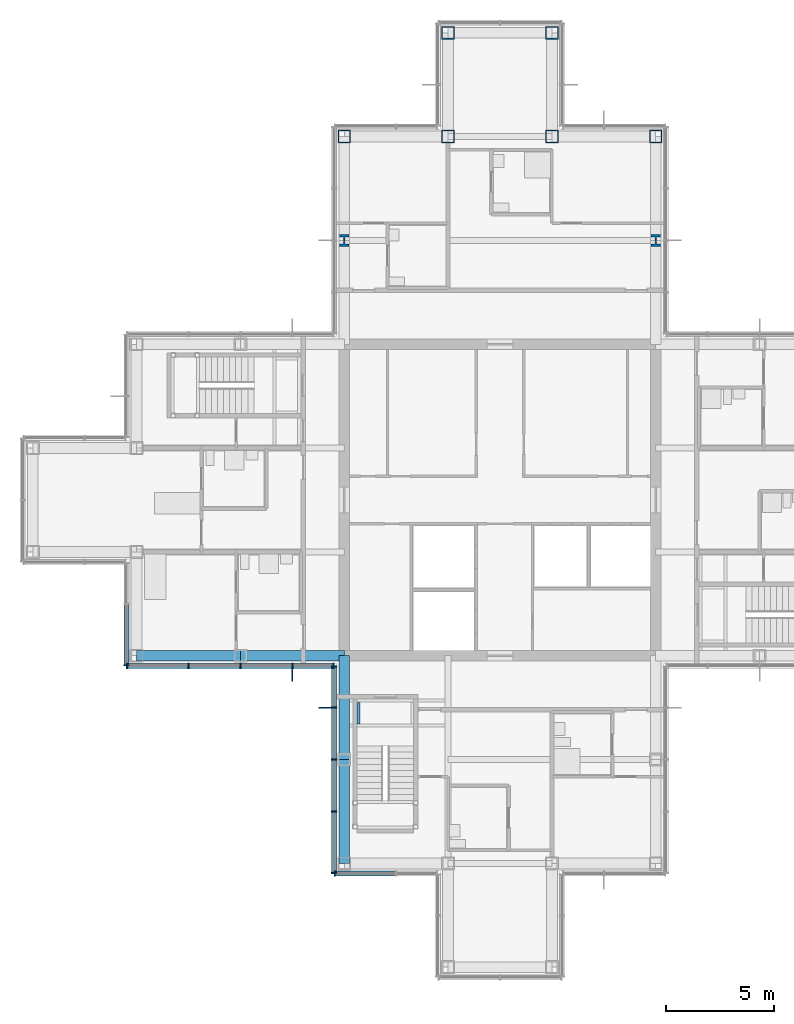
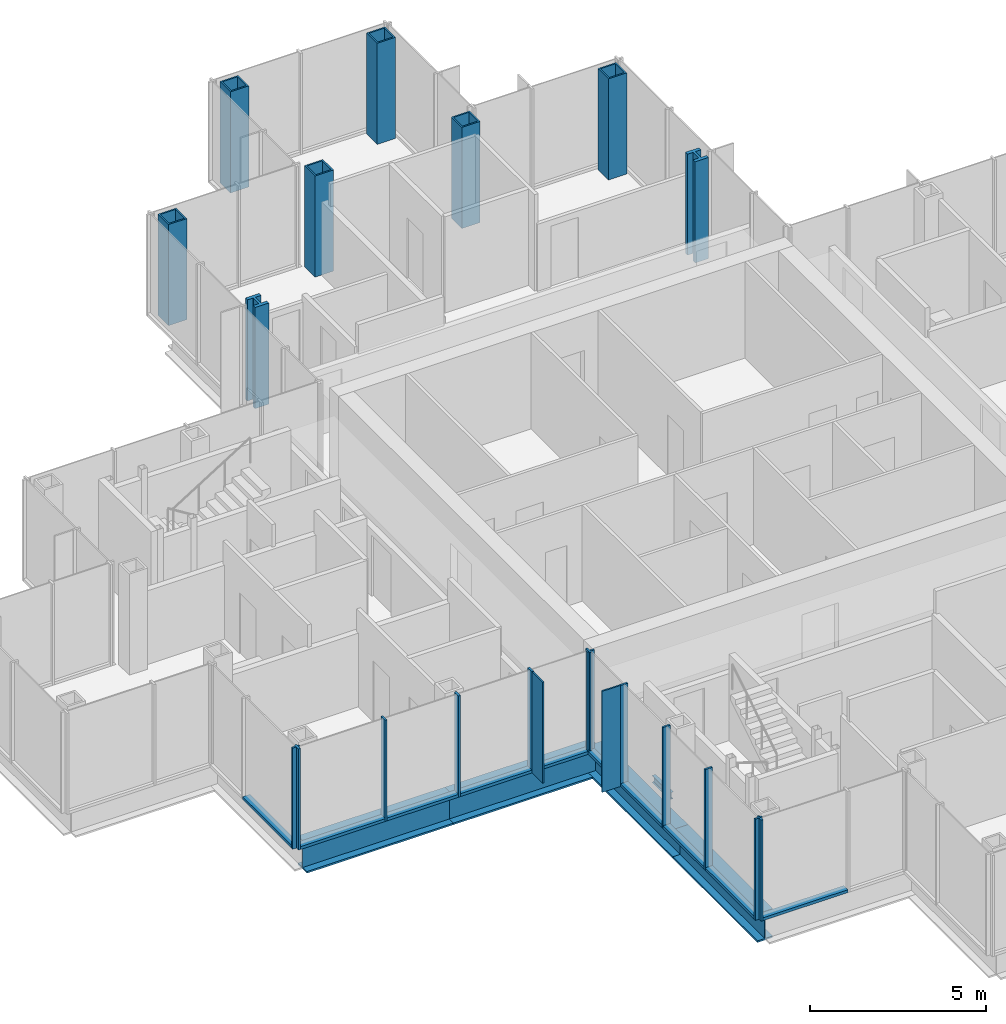
# One storey, part 5 of 17: 24 members, 8 columns, 5 beams, 4 elements without a shape of their own.
"""IFC4 building model written with IfcOpenShell, lengths in metres."""

from ifc_helpers import new_model, si_unit, direction, frame, origin, origin_2d, place, context, subcontext, project, spatial, rectangle, hollow_rectangle, i_section, extrude, material, material_profile, profile_set, type_object, element, aggregate, save


model = new_model("IFC4")

# Units and contexts
model_context = context("Model", 3, precision=1e-05, world=origin(), true_north=direction((0.0, 1.0)))
body_context = subcontext(model_context, "Body", "Model", "MODEL_VIEW")
ifc_project = project(units=[si_unit("LENGTHUNIT", "METRE"), si_unit("AREAUNIT", "SQUARE_METRE"), si_unit("VOLUMEUNIT", "CUBIC_METRE"), si_unit("PLANEANGLEUNIT", "RADIAN"), si_unit("MASSUNIT", "GRAM", prefix="KILO")], contexts=[model_context])

# Site, building, storey
site_placement = place(None, origin())
site = spatial("IfcSite", under=ifc_project, at=site_placement, CompositionType="ELEMENT")
building_placement = place(site_placement, origin())
building = spatial("IfcBuilding", under=site, at=building_placement, Name="Kvirike Care Tower", CompositionType="ELEMENT")
storey_placement = place(building_placement, frame((0.0, 0.0, 169.0)))
storey = spatial("IfcBuildingStorey", under=building, at=storey_placement, Name="L46", CompositionType="ELEMENT", Elevation=169.0)

# Columns
ifc_material_1 = material(Name="Steel S460", Category="steel")
ifc_material_profile_1 = material_profile(ifc_material_1, hollow_rectangle(XDim=0.60009765625, YDim=0.60009765625, WallThickness=0.050048828125, at=origin_2d()), Name="BX 600x600x50")
ifc_profile_set_1 = profile_set([ifc_material_profile_1], Name="Steel S460")
column_type_1 = type_object("IfcColumnType", Name="COLUMN BX 600x600x50", PredefinedType="COLUMN", material=ifc_profile_set_1)
for number, where, z_axis, x_axis, name in (
    (1, (14.39990234375, 52.800048828125, 0.0), (0.0, 0.0, 1.0), (0.0, 1.0, 0.0), "Column M6 L46"),
    (2, (19.199951171875, 52.800048828125, 0.0), (0.0, 0.0, 1.0), (0.0, 1.0, 0.0), "Column M7 L46"),
    (3, (19.199951171875, 57.60009765625, 0.0), (0.0, 0.0, 1.0), (0.0, 1.0, 0.0), "Column N7 L46"),
    (4, (24.0, 52.800048828125, 0.0), (0.0, 0.0, 1.0), (0.0, 1.0, 0.0), "Column M8 L46"),
    (5, (24.0, 57.60009765625, 0.0), (0.0, 0.0, 1.0), (0.0, 1.0, 0.0), "Column N8 L46"),
    (6, (28.800048828125, 52.800048828125, 0.0), (0.0, 0.0, 1.0), (0.0, 1.0, 0.0), "Column M9 L46"),
):
    element("IfcColumn", number, at=place(storey_placement, frame(where, z_axis=z_axis, x_axis=x_axis)), inside=storey, type_object=column_type_1, Name=name, PredefinedType="COLUMN", context=body_context, shape_type="SweptSolid", body=[
        extrude(hollow_rectangle(XDim=0.60009765625, YDim=0.60009765625, WallThickness=0.050048828125, at=origin_2d()), origin(), (0.0, 0.0, 1.0), 3.5),
    ])
ifc_material_2 = material(Name="Steel S460", Category="steel")
ifc_material_profile_2 = material_profile(ifc_material_2, i_section(OverallWidth=0.447998046875, OverallDepth=0.550048828125, WebThickness=0.072021484375, FlangeThickness=0.114990234375, FilletRadius=0.014892578125, at=origin_2d()), Name="HD 400x990")
ifc_profile_set_2 = profile_set([ifc_material_profile_2], Name="Steel S460")
column_type_2 = type_object("IfcColumnType", Name="COLUMN HD 400x990", PredefinedType="COLUMN", material=ifc_profile_set_2)
for number, where, z_axis, x_axis, name in (
    (7, (14.39990234375, 48.0, 0.0), (0.0, 0.0, 1.0), (1.0, 0.0, 0.0), "Column L6 L46"),
    (8, (28.800048828125, 48.0, 0.0), (0.0, 0.0, 1.0), (1.0, 0.0, 0.0), "Column L9 L46"),
):
    element("IfcColumn", number, at=place(storey_placement, frame(where, z_axis=z_axis, x_axis=x_axis)), inside=storey, type_object=column_type_2, Name=name, PredefinedType="COLUMN", context=body_context, shape_type="SweptSolid", body=[
        extrude(i_section(OverallWidth=0.447998046875, OverallDepth=0.550048828125, WebThickness=0.072021484375, FlangeThickness=0.114990234375, FilletRadius=0.014892578125, at=origin_2d()), origin(), (0.0, 0.0, 1.0), 3.5),
    ])

# Curtain wall, member
ifc_material_3 = material(Name="Anodised aluminium stick system", Category="aluminium")
curtain_wall_type = type_object("IfcCurtainWallType", Name="CW-C STICK CURTAIN WALL", PredefinedType="NOTDEFINED", material=ifc_material_3)
curtain_wall_1_placement = place(storey_placement, origin())
curtain_wall_1 = element("IfcCurtainWall", 9, at=curtain_wall_1_placement, inside=storey, type_object=curtain_wall_type, Name="Curtain wall L46 face 21", PredefinedType="NOTDEFINED")
ifc_material_4 = material(Name="Bronze anodised aluminium fin", Category="aluminium")
ifc_material_profile_3 = material_profile(ifc_material_4, rectangle(XDim=0.050048828125, YDim=0.60009765625, at=origin_2d()), Name="BRONZE FIN 600")
ifc_profile_set_3 = profile_set([ifc_material_profile_3], Name="Bronze anodised aluminium fin")
member_type_1 = type_object("IfcMemberType", Name="BRONZE FIN 600", PredefinedType="USERDEFINED", material=ifc_profile_set_3)
member_1_placement = place(storey_placement, frame((12.0, 27.909912109375, 0.0), z_axis=(0.0, 0.0, 1.0), x_axis=(1.0, 0.0, 0.0)))
member_1 = element("IfcMember", 10, at=member_1_placement, type_object=member_type_1, Name="Bronze fin L46 face 21.4", ObjectType="FIN", PredefinedType="USERDEFINED", context=body_context, shape_type="SweptSolid", body=[
    extrude(rectangle(XDim=0.050048828125, YDim=0.60009765625, at=origin_2d()), origin(), (0.0, 0.0, 1.0), 3.5),
])

curtain_wall_2_placement = place(storey_placement, origin())
curtain_wall_2 = element("IfcCurtainWall", 11, at=curtain_wall_2_placement, inside=storey, type_object=curtain_wall_type, Name="Curtain wall L46 face 22", PredefinedType="NOTDEFINED")
member_2_placement = place(storey_placement, frame((13.510009765625, 26.39990234375, 0.0), z_axis=(0.0, 0.0, 1.0), x_axis=(0.0, -1.0, 0.0)))
member_2 = element("IfcMember", 12, at=member_2_placement, type_object=member_type_1, Name="Bronze fin L46 face 22.2", ObjectType="FIN", PredefinedType="USERDEFINED", context=body_context, shape_type="SweptSolid", body=[
    extrude(rectangle(XDim=0.050048828125, YDim=0.60009765625, at=origin_2d()), origin(), (0.0, 0.0, 1.0), 3.5),
])

curtain_wall_3_placement = place(storey_placement, origin())
curtain_wall_3 = element("IfcCurtainWall", 13, at=curtain_wall_3_placement, inside=storey, type_object=curtain_wall_type, Name="Curtain wall L46 face 20", PredefinedType="NOTDEFINED")
ifc_material_5 = material(Name="Bronze anodised aluminium mullion", Category="aluminium")
ifc_material_profile_4 = material_profile(ifc_material_5, rectangle(XDim=0.06494140625, YDim=0.239990234375, at=origin_2d()), Name="CW-C MULLION 65x240")
ifc_profile_set_4 = profile_set([ifc_material_profile_4], Name="Bronze anodised aluminium mullion")
member_type_2 = type_object("IfcMemberType", Name="CW-C MULLION 65x240", PredefinedType="MULLION", material=ifc_profile_set_4)
member_3_placement = place(storey_placement, frame((4.330078125, 28.362548828125, 0.0), z_axis=(0.0, 0.0, 1.0), x_axis=(0.0, -1.0, 0.0)))
member_3 = element("IfcMember", 14, at=member_3_placement, type_object=member_type_2, Name="CW-C mullion L46 face 20.3", PredefinedType="MULLION", context=body_context, shape_type="SweptSolid", body=[
    extrude(rectangle(XDim=0.06494140625, YDim=0.239990234375, at=origin_2d()), origin(), (0.0, 0.0, 1.0), 3.5),
])

# Member
member_4_placement = place(storey_placement, frame((4.362548828125, 28.330078125, 0.0), z_axis=(0.0, 0.0, 1.0), x_axis=(1.0, 0.0, 0.0)))
member_4 = element("IfcMember", 15, at=member_4_placement, type_object=member_type_2, Name="CW-C mullion L46 face 21.1", PredefinedType="MULLION", context=body_context, shape_type="SweptSolid", body=[
    extrude(rectangle(XDim=0.06494140625, YDim=0.239990234375, at=origin_2d()), origin(), (0.0, 0.0, 1.0), 3.5),
])

member_5_placement = place(storey_placement, frame((7.199951171875, 28.330078125, 0.0), z_axis=(0.0, 0.0, 1.0), x_axis=(1.0, 0.0, 0.0)))
member_5 = element("IfcMember", 16, at=member_5_placement, type_object=member_type_2, Name="CW-C mullion L46 face 21.2", PredefinedType="MULLION", context=body_context, shape_type="SweptSolid", body=[
    extrude(rectangle(XDim=0.06494140625, YDim=0.239990234375, at=origin_2d()), origin(), (0.0, 0.0, 1.0), 3.5),
])

member_6_placement = place(storey_placement, frame((9.60009765625, 28.330078125, 0.0), z_axis=(0.0, 0.0, 1.0), x_axis=(1.0, 0.0, 0.0)))
member_6 = element("IfcMember", 17, at=member_6_placement, type_object=member_type_2, Name="CW-C mullion L46 face 21.3", PredefinedType="MULLION", context=body_context, shape_type="SweptSolid", body=[
    extrude(rectangle(XDim=0.06494140625, YDim=0.239990234375, at=origin_2d()), origin(), (0.0, 0.0, 1.0), 3.5),
])

member_7_placement = place(storey_placement, frame((12.0, 28.330078125, 0.0), z_axis=(0.0, 0.0, 1.0), x_axis=(1.0, 0.0, 0.0)))
member_7 = element("IfcMember", 18, at=member_7_placement, type_object=member_type_2, Name="CW-C mullion L46 face 21.4", PredefinedType="MULLION", context=body_context, shape_type="SweptSolid", body=[
    extrude(rectangle(XDim=0.06494140625, YDim=0.239990234375, at=origin_2d()), origin(), (0.0, 0.0, 1.0), 3.5),
])

member_8_placement = place(storey_placement, frame((13.8974609375, 28.330078125, 0.0), z_axis=(0.0, 0.0, 1.0), x_axis=(1.0, 0.0, 0.0)))
member_8 = element("IfcMember", 19, at=member_8_placement, type_object=member_type_2, Name="CW-C mullion L46 face 21.5", PredefinedType="MULLION", context=body_context, shape_type="SweptSolid", body=[
    extrude(rectangle(XDim=0.06494140625, YDim=0.239990234375, at=origin_2d()), origin(), (0.0, 0.0, 1.0), 3.5),
])

member_9_placement = place(storey_placement, frame((13.929931640625, 28.297607421875, 0.0), z_axis=(0.0, 0.0, 1.0), x_axis=(0.0, -1.0, 0.0)))
member_9 = element("IfcMember", 20, at=member_9_placement, type_object=member_type_2, Name="CW-C mullion L46 face 22.1", PredefinedType="MULLION", context=body_context, shape_type="SweptSolid", body=[
    extrude(rectangle(XDim=0.06494140625, YDim=0.239990234375, at=origin_2d()), origin(), (0.0, 0.0, 1.0), 3.5),
])

member_10_placement = place(storey_placement, frame((13.929931640625, 26.39990234375, 0.0), z_axis=(0.0, 0.0, 1.0), x_axis=(0.0, -1.0, 0.0)))
member_10 = element("IfcMember", 21, at=member_10_placement, type_object=member_type_2, Name="CW-C mullion L46 face 22.2", PredefinedType="MULLION", context=body_context, shape_type="SweptSolid", body=[
    extrude(rectangle(XDim=0.06494140625, YDim=0.239990234375, at=origin_2d()), origin(), (0.0, 0.0, 1.0), 3.5),
])

member_11_placement = place(storey_placement, frame((13.929931640625, 24.0, 0.0), z_axis=(0.0, 0.0, 1.0), x_axis=(0.0, -1.0, 0.0)))
member_11 = element("IfcMember", 22, at=member_11_placement, type_object=member_type_2, Name="CW-C mullion L46 face 22.3", PredefinedType="MULLION", context=body_context, shape_type="SweptSolid", body=[
    extrude(rectangle(XDim=0.06494140625, YDim=0.239990234375, at=origin_2d()), origin(), (0.0, 0.0, 1.0), 3.5),
])

member_12_placement = place(storey_placement, frame((13.929931640625, 21.60009765625, 0.0), z_axis=(0.0, 0.0, 1.0), x_axis=(0.0, -1.0, 0.0)))
member_12 = element("IfcMember", 23, at=member_12_placement, type_object=member_type_2, Name="CW-C mullion L46 face 22.4", PredefinedType="MULLION", context=body_context, shape_type="SweptSolid", body=[
    extrude(rectangle(XDim=0.06494140625, YDim=0.239990234375, at=origin_2d()), origin(), (0.0, 0.0, 1.0), 3.5),
])

member_13_placement = place(storey_placement, frame((13.929931640625, 18.762451171875, 0.0), z_axis=(0.0, 0.0, 1.0), x_axis=(0.0, -1.0, 0.0)))
member_13 = element("IfcMember", 24, at=member_13_placement, type_object=member_type_2, Name="CW-C mullion L46 face 22.5", PredefinedType="MULLION", context=body_context, shape_type="SweptSolid", body=[
    extrude(rectangle(XDim=0.06494140625, YDim=0.239990234375, at=origin_2d()), origin(), (0.0, 0.0, 1.0), 3.5),
])

# Curtain wall, member
curtain_wall_4_placement = place(storey_placement, origin())
curtain_wall_4 = element("IfcCurtainWall", 25, at=curtain_wall_4_placement, inside=storey, type_object=curtain_wall_type, Name="Curtain wall L46 face 23", PredefinedType="NOTDEFINED")
member_14_placement = place(storey_placement, frame((13.96240234375, 18.72998046875, 0.0), z_axis=(0.0, 0.0, 1.0), x_axis=(1.0, 0.0, 0.0)))
member_14 = element("IfcMember", 26, at=member_14_placement, type_object=member_type_2, Name="CW-C mullion L46 face 23.1", PredefinedType="MULLION", context=body_context, shape_type="SweptSolid", body=[
    extrude(rectangle(XDim=0.06494140625, YDim=0.239990234375, at=origin_2d()), origin(), (0.0, 0.0, 1.0), 3.5),
])

# Member
ifc_material_6 = material(Name="Bronze anodised aluminium transom", Category="aluminium")
ifc_material_profile_5 = material_profile(ifc_material_6, rectangle(XDim=0.239990234375, YDim=0.10009765625, at=origin_2d()), Name="CW-C TRANSOM 240x100")
ifc_profile_set_5 = profile_set([ifc_material_profile_5], Name="Bronze anodised aluminium transom")
member_type_3 = type_object("IfcMemberType", Name="CW-C TRANSOM 240x100", PredefinedType="USERDEFINED", material=ifc_profile_set_5)
member_15_placement = place(storey_placement, frame((4.330078125, 31.16748046875, 0.050048828125), z_axis=(0.0, -1.0, 0.0), x_axis=(1.0, 0.0, 0.0)))
member_15 = element("IfcMember", 27, at=member_15_placement, type_object=member_type_3, Name="CW-C sill transom L46 face 20.2", ObjectType="TRANSOM", PredefinedType="USERDEFINED", context=body_context, shape_type="SweptSolid", body=[
    extrude(rectangle(XDim=0.239990234375, YDim=0.10009765625, at=origin_2d()), origin(), (0.0, 0.0, 1.0), 2.7724609375),
])

aggregate(curtain_wall_3, [member_3, member_15])

member_16_placement = place(storey_placement, frame((4.39501953125, 28.330078125, 0.050048828125), z_axis=(1.0, 0.0, 0.0), x_axis=(0.0, 1.0, 0.0)))
member_16 = element("IfcMember", 28, at=member_16_placement, type_object=member_type_3, Name="CW-C sill transom L46 face 21.1", ObjectType="TRANSOM", PredefinedType="USERDEFINED", context=body_context, shape_type="SweptSolid", body=[
    extrude(rectangle(XDim=0.239990234375, YDim=0.10009765625, at=origin_2d()), origin(), (0.0, 0.0, 1.0), 2.7724609375),
])

member_17_placement = place(storey_placement, frame((7.232421875, 28.330078125, 0.050048828125), z_axis=(1.0, 0.0, 0.0), x_axis=(0.0, 1.0, 0.0)))
member_17 = element("IfcMember", 29, at=member_17_placement, type_object=member_type_3, Name="CW-C sill transom L46 face 21.2", ObjectType="TRANSOM", PredefinedType="USERDEFINED", context=body_context, shape_type="SweptSolid", body=[
    extrude(rectangle(XDim=0.239990234375, YDim=0.10009765625, at=origin_2d()), origin(), (0.0, 0.0, 1.0), 2.3349609375),
])

member_18_placement = place(storey_placement, frame((9.632568359375, 28.330078125, 0.050048828125), z_axis=(1.0, 0.0, 0.0), x_axis=(0.0, 1.0, 0.0)))
member_18 = element("IfcMember", 30, at=member_18_placement, type_object=member_type_3, Name="CW-C sill transom L46 face 21.3", ObjectType="TRANSOM", PredefinedType="USERDEFINED", context=body_context, shape_type="SweptSolid", body=[
    extrude(rectangle(XDim=0.239990234375, YDim=0.10009765625, at=origin_2d()), origin(), (0.0, 0.0, 1.0), 2.3349609375),
])

member_19_placement = place(storey_placement, frame((12.032470703125, 28.330078125, 0.050048828125), z_axis=(1.0, 0.0, 0.0), x_axis=(0.0, 1.0, 0.0)))
member_19 = element("IfcMember", 31, at=member_19_placement, type_object=member_type_3, Name="CW-C sill transom L46 face 21.4", ObjectType="TRANSOM", PredefinedType="USERDEFINED", context=body_context, shape_type="SweptSolid", body=[
    extrude(rectangle(XDim=0.239990234375, YDim=0.10009765625, at=origin_2d()), origin(), (0.0, 0.0, 1.0), 1.83251953125),
])

aggregate(curtain_wall_1, [member_4, member_5, member_6, member_7, member_1, member_8, member_16, member_17, member_18, member_19])

member_20_placement = place(storey_placement, frame((13.929931640625, 28.264892578125, 0.050048828125), z_axis=(0.0, -1.0, 0.0), x_axis=(1.0, 0.0, 0.0)))
member_20 = element("IfcMember", 32, at=member_20_placement, type_object=member_type_3, Name="CW-C sill transom L46 face 22.1", ObjectType="TRANSOM", PredefinedType="USERDEFINED", context=body_context, shape_type="SweptSolid", body=[
    extrude(rectangle(XDim=0.239990234375, YDim=0.10009765625, at=origin_2d()), origin(), (0.0, 0.0, 1.0), 1.832275390625),
])

member_21_placement = place(storey_placement, frame((13.929931640625, 26.367431640625, 0.050048828125), z_axis=(0.0, -1.0, 0.0), x_axis=(1.0, 0.0, 0.0)))
member_21 = element("IfcMember", 33, at=member_21_placement, type_object=member_type_3, Name="CW-C sill transom L46 face 22.2", ObjectType="TRANSOM", PredefinedType="USERDEFINED", context=body_context, shape_type="SweptSolid", body=[
    extrude(rectangle(XDim=0.239990234375, YDim=0.10009765625, at=origin_2d()), origin(), (0.0, 0.0, 1.0), 2.3349609375),
])

member_22_placement = place(storey_placement, frame((13.929931640625, 23.967529296875, 0.050048828125), z_axis=(0.0, -1.0, 0.0), x_axis=(1.0, 0.0, 0.0)))
member_22 = element("IfcMember", 34, at=member_22_placement, type_object=member_type_3, Name="CW-C sill transom L46 face 22.3", ObjectType="TRANSOM", PredefinedType="USERDEFINED", context=body_context, shape_type="SweptSolid", body=[
    extrude(rectangle(XDim=0.239990234375, YDim=0.10009765625, at=origin_2d()), origin(), (0.0, 0.0, 1.0), 2.3349609375),
])

member_23_placement = place(storey_placement, frame((13.929931640625, 21.5673828125, 0.050048828125), z_axis=(0.0, -1.0, 0.0), x_axis=(1.0, 0.0, 0.0)))
member_23 = element("IfcMember", 35, at=member_23_placement, type_object=member_type_3, Name="CW-C sill transom L46 face 22.4", ObjectType="TRANSOM", PredefinedType="USERDEFINED", context=body_context, shape_type="SweptSolid", body=[
    extrude(rectangle(XDim=0.239990234375, YDim=0.10009765625, at=origin_2d()), origin(), (0.0, 0.0, 1.0), 2.7724609375),
])

aggregate(curtain_wall_2, [member_9, member_10, member_2, member_11, member_12, member_13, member_20, member_21, member_22, member_23])

member_24_placement = place(storey_placement, frame((13.9951171875, 18.72998046875, 0.050048828125), z_axis=(1.0, 0.0, 0.0), x_axis=(0.0, 1.0, 0.0)))
member_24 = element("IfcMember", 36, at=member_24_placement, type_object=member_type_3, Name="CW-C sill transom L46 face 23.1", ObjectType="TRANSOM", PredefinedType="USERDEFINED", context=body_context, shape_type="SweptSolid", body=[
    extrude(rectangle(XDim=0.239990234375, YDim=0.10009765625, at=origin_2d()), origin(), (0.0, 0.0, 1.0), 2.7724609375),
])

aggregate(curtain_wall_4, [member_14, member_24])

# Beams
ifc_material_7 = material(Name="Steel S355", Category="steel")
ifc_material_profile_6 = material_profile(ifc_material_7, i_section(OverallWidth=0.5, OverallDepth=1.0, WebThickness=0.030029296875, FlangeThickness=0.06005859375, at=origin_2d()), Name="PG 1000x500x30x60")
ifc_profile_set_6 = profile_set([ifc_material_profile_6], Name="Steel S355")
beam_type_1 = type_object("IfcBeamType", Name="SPANDREL PG 1000x500x30x60", PredefinedType="SPANDREL", material=ifc_profile_set_6)
beam_1_placement = place(storey_placement, frame((4.800048828125, 28.800048828125, -0.669921875), z_axis=(1.0, 0.0, 0.0), x_axis=(0.0, 1.0, 0.0)))
element("IfcBeam", 37, at=beam_1_placement, inside=storey, type_object=beam_type_1, Name="Spandrel G4-G5 L46", PredefinedType="SPANDREL", context=body_context, shape_type="SweptSolid", body=[
    extrude(i_section(OverallWidth=0.5, OverallDepth=1.0, WebThickness=0.030029296875, FlangeThickness=0.06005859375, at=origin_2d()), origin(), (0.0, 0.0, 1.0), 4.800048828125),
])
beam_2_placement = place(storey_placement, frame((9.60009765625, 28.800048828125, -0.669921875), z_axis=(1.0, 0.0, 0.0), x_axis=(0.0, 1.0, 0.0)))
element("IfcBeam", 38, at=beam_2_placement, inside=storey, type_object=beam_type_1, Name="Spandrel G5-G6 L46", PredefinedType="SPANDREL", context=body_context, shape_type="SweptSolid", body=[
    extrude(i_section(OverallWidth=0.5, OverallDepth=1.0, WebThickness=0.030029296875, FlangeThickness=0.06005859375, at=origin_2d()), origin(), (0.0, 0.0, 1.0), 4.7998046875),
])
for number, where, z_axis, x_axis, name in (
    (39, (14.39990234375, 19.199951171875, -0.669921875), (0.0, 1.0, 0.0), (-1.0, 0.0, 0.0), "Spandrel E6-F6 L46"),
    (40, (14.39990234375, 24.0, -0.669921875), (0.0, 1.0, 0.0), (-1.0, 0.0, 0.0), "Spandrel F6-G6 L46"),
):
    element("IfcBeam", number, at=place(storey_placement, frame(where, z_axis=z_axis, x_axis=x_axis)), inside=storey, type_object=beam_type_1, Name=name, PredefinedType="SPANDREL", context=body_context, shape_type="SweptSolid", body=[
        extrude(i_section(OverallWidth=0.5, OverallDepth=1.0, WebThickness=0.030029296875, FlangeThickness=0.06005859375, at=origin_2d()), origin(), (0.0, 0.0, 1.0), 4.800048828125),
    ])
ifc_material_8 = material(Name="Steel S355", Category="steel")
ifc_material_profile_7 = material_profile(ifc_material_8, i_section(OverallWidth=0.1201171875, OverallDepth=0.239990234375, WebThickness=0.006103515625, FlangeThickness=0.009765625, FilletRadius=0.014892578125, at=origin_2d()), Name="IPE 240")
ifc_profile_set_7 = profile_set([ifc_material_profile_7], Name="Steel S355")
beam_type_2 = type_object("IfcBeamType", Name="STAIR LANDING BEAM IPE 240", PredefinedType="BEAM", material=ifc_profile_set_7)
beam_3_placement = place(storey_placement, frame((15.06005859375, 25.64990234375, -0.320068359375), z_axis=(0.0, 1.0, 0.0), x_axis=(-1.0, 0.0, 0.0)))
element("IfcBeam", 41, at=beam_3_placement, inside=storey, type_object=beam_type_2, Name="Stair 5 landing edge beam 1 L46", PredefinedType="BEAM", context=body_context, shape_type="SweptSolid", body=[
    extrude(i_section(OverallWidth=0.1201171875, OverallDepth=0.239990234375, WebThickness=0.006103515625, FlangeThickness=0.009765625, FilletRadius=0.014892578125, at=origin_2d()), origin(), (0.0, 0.0, 1.0), 1.0),
])

save(model, "model.ifc")
